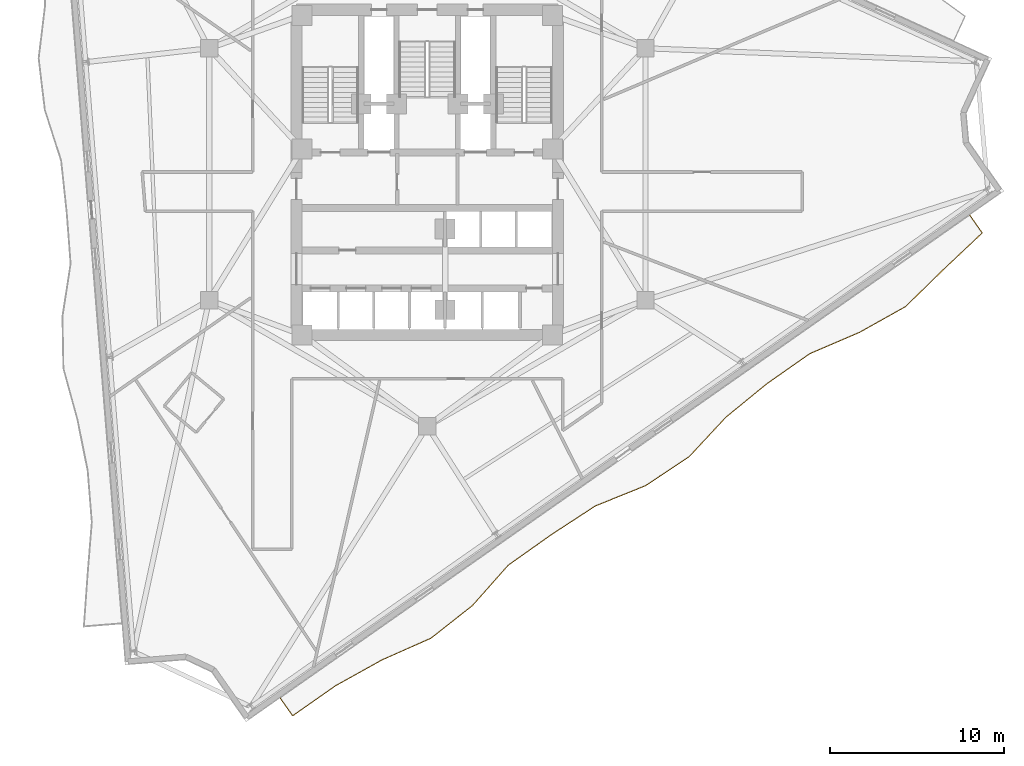
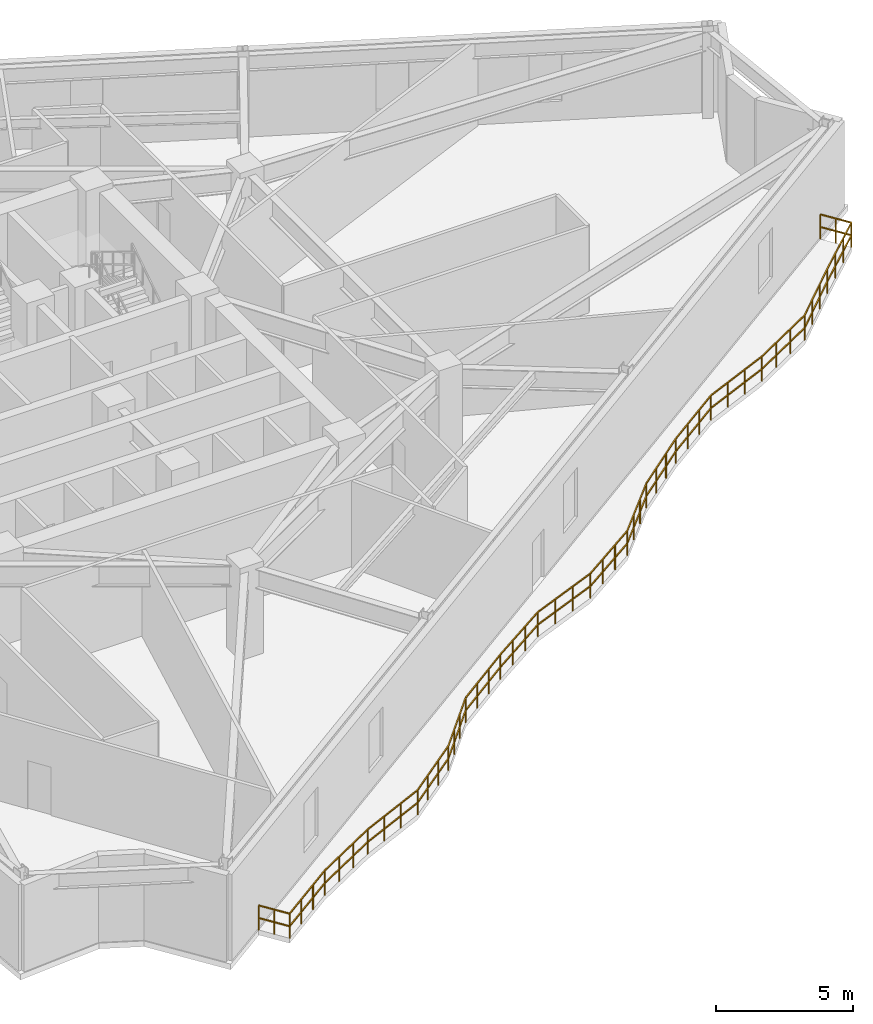
# One storey, part 9 of 11: 1 railing.
"""IFC4 building model written with IfcOpenShell, lengths in metres."""

import ifcopenshell
import ifcopenshell.guid

model = None  # the IFC model being written
_history = None  # IfcOwnerHistory: only IFC2X3 demands one
_inside = {}  # id of a spatial element -> (the spatial element, [elements in it])
_under = {}  # id of a project, library or spatial element -> (it, [spatial elements below it])
_declared = {}  # id of a project -> (the project, [libraries it declares])
_typed = {}  # id of a type object -> (the type object, [elements of that type])
_made_of = {}  # id of a material, layer set ... -> (it, [elements and type objects made of it])


def new_model(schema):
    """Start an empty IFC model of exactly this schema.

    Asked for "IFC4X3", IfcOpenShell would pick the latest addendum, in which some entities
    have other attributes; the version numbers below select the first issue.
    IFC2X3 requires an IfcOwnerHistory on every rooted entity: one is made here for all.
    """
    global model, _history
    if schema == "IFC4X3":
        model = ifcopenshell.file(schema_version=(4, 3, 0, 0))
    else:
        model = ifcopenshell.file(schema=schema)
    _inside.clear()
    _under.clear()
    _declared.clear()
    _typed.clear()
    _made_of.clear()
    _history = None
    if model.schema == "IFC2X3":
        org = make("IfcOrganization", Name="unknown")
        user = make(
            "IfcPersonAndOrganization",
            ThePerson=make("IfcPerson", FamilyName="unknown"),
            TheOrganization=org,
        )
        app = make(
            "IfcApplication",
            ApplicationDeveloper=org,
            Version="unknown",
            ApplicationFullName="unknown",
            ApplicationIdentifier="unknown",
        )
        _history = make(
            "IfcOwnerHistory",
            OwningUser=user,
            OwningApplication=app,
            ChangeAction="ADDED",
            CreationDate=0,
        )
    return model


def make(cls, **values):
    """One entity of the class cls with the attributes given. An attribute that is None is left unset."""
    return model.create_entity(
        cls, **{name: value for name, value in values.items() if value is not None}
    )


def rooted(cls, **values):
    """An entity with a GlobalId (a new one), such as an element, a storey or a relation."""
    return make(cls, GlobalId=ifcopenshell.guid.new(), OwnerHistory=_history, **values)


def si_unit(unit_type, name, prefix=None):
    """IfcSIUnit, for example si_unit("LENGTHUNIT", "METRE", prefix="MILLI")."""
    return make("IfcSIUnit", UnitType=unit_type, Prefix=prefix, Name=name)


def assignment(units):
    """IfcUnitAssignment: the units of a project."""
    return None if units is None else make("IfcUnitAssignment", Units=units)


def point(xyz):
    """IfcCartesianPoint."""
    return None if xyz is None else make("IfcCartesianPoint", Coordinates=xyz)


def direction(xyz):
    """IfcDirection."""
    return None if xyz is None else make("IfcDirection", DirectionRatios=xyz)


def frame(location, z_axis=None, x_axis=None):
    """IfcAxis2Placement3D, a coordinate frame: its origin and axes. An axis left out is left unset."""
    return make(
        "IfcAxis2Placement3D",
        Location=point(location),
        Axis=direction(z_axis),
        RefDirection=direction(x_axis),
    )


def frame_2d(location, x_axis=None):
    """IfcAxis2Placement2D, a coordinate frame in the plane: its origin and x axis."""
    return make(
        "IfcAxis2Placement2D", Location=point(location), RefDirection=direction(x_axis)
    )


def origin():
    """The frame at (0, 0, 0) with its axes left unset."""
    return frame((0.0, 0.0, 0.0))


def origin_2d():
    """The frame at (0, 0) in the plane with its x axis left unset."""
    return frame_2d((0.0, 0.0))


def place(relative_to, where):
    """IfcLocalPlacement: puts the frame where relative to a parent placement (None: the world)."""
    return make(
        "IfcLocalPlacement", PlacementRelTo=relative_to, RelativePlacement=where
    )


def context(
    kind, dimensions, precision=None, world=None, true_north=None, identifier=None
):
    """IfcGeometricRepresentationContext, for example the 3D "Model" context."""
    return make(
        "IfcGeometricRepresentationContext",
        ContextIdentifier=identifier,
        ContextType=kind,
        CoordinateSpaceDimension=dimensions,
        Precision=precision,
        WorldCoordinateSystem=world,
        TrueNorth=true_north,
    )


def subcontext(parent, identifier, kind, view, scale=None):
    """IfcGeometricRepresentationSubContext, for example "Body" below "Model"."""
    return make(
        "IfcGeometricRepresentationSubContext",
        ContextIdentifier=identifier,
        ContextType=kind,
        ParentContext=parent,
        TargetScale=scale,
        TargetView=view,
    )


def project(units=None, contexts=None):
    """IfcProject with its units and contexts."""
    return rooted(
        "IfcProject",
        Name="project",
        RepresentationContexts=contexts,
        UnitsInContext=assignment(units),
    )


def spatial(cls, under=None, at=None, **own):
    """A site, building, storey or space (cls), placed at a placement, below another one or the project."""
    s = rooted(cls, ObjectPlacement=at, **own)
    if under is not None:
        _under.setdefault(under.id(), (under, []))[1].append(s)
    return s


def profile(cls, at=None, kind="AREA", **sizes):
    """A parametric profile (cls). Its sizes go by their IFC names, for example OverallWidth=200.0."""
    return make(cls, ProfileType=kind, Position=at, **sizes)


def rectangle(**sizes):
    """IfcRectangleProfileDef."""
    return profile("IfcRectangleProfileDef", **sizes)


def extrude(swept, where, along, depth):
    """IfcExtrudedAreaSolid: the profile swept, set in the frame where, extruded along a direction by depth."""
    return make(
        "IfcExtrudedAreaSolid",
        SweptArea=swept,
        Position=where,
        ExtrudedDirection=direction(along),
        Depth=depth,
    )


def shape(context_of_items, identifier, shape_type, items):
    """IfcShapeRepresentation: the items that make up one representation, for example the "Body"."""
    return make(
        "IfcShapeRepresentation",
        ContextOfItems=context_of_items,
        RepresentationIdentifier=identifier,
        RepresentationType=shape_type,
        Items=items,
    )


def material(Name=None, Category=None):
    """IfcMaterial."""
    return make("IfcMaterial", Name=Name, Category=Category)


def made_of(thing, what):
    """Note that an element or type object is made of a material, layer set ...; save() writes the relation."""
    if what is not None:
        _made_of.setdefault(what.id(), (what, []))[1].append(thing)
    return thing


def type_object(cls, material=None, **own):
    """A type object (cls), such as IfcWallType, which elements share."""
    return made_of(rooted(cls, **own), material)


def element(
    cls,
    number,
    at=None,
    inside=None,
    cuts=None,
    type_object=None,
    material=None,
    context=None,
    identifier="Body",
    shape_type=None,
    held_by="IfcProductDefinitionShape",
    body=None,
    shapes=None,
    **own,
):
    """One element of the class cls, such as IfcWall. Its Tag is "e" and its number.

    at: its placement. inside: the storey or other place that contains it. cuts: it is an
    opening in that element (IfcRelVoidsElement). A single representation is given by context,
    identifier, shape_type and body (its items); several are given by shapes. held_by: the class
    of the entity that holds the representations. save() writes the other relations.
    """
    e = rooted(cls, Tag="e%d" % number, ObjectPlacement=at, **own)
    if body is not None:
        shapes = [shape(context, identifier, shape_type, body)]
    if shapes is not None:
        e.Representation = make(held_by, Representations=shapes)
    if inside is not None:
        _inside.setdefault(inside.id(), (inside, []))[1].append(e)
    if cuts is not None:
        rooted(
            "IfcRelVoidsElement", RelatingBuildingElement=cuts, RelatedOpeningElement=e
        )
    if type_object is not None:
        _typed.setdefault(type_object.id(), (type_object, []))[1].append(e)
    return made_of(e, material)


def aggregate(whole, parts):
    """IfcRelAggregates: a whole, such as a stair, and the parts it consists of."""
    return rooted("IfcRelAggregates", RelatingObject=whole, RelatedObjects=parts)


def save(model, path):
    """Write the relations noted so far, then the file.

    IfcRelAggregates (storeys below a building ...), IfcRelContainedInSpatialStructure (elements
    in a storey), IfcRelDefinesByType, IfcRelAssociatesMaterial and IfcRelDeclares: one each for
    every whole, place, type object, material and project.
    """
    for whole, parts in _under.values():
        aggregate(whole, parts)
    for where, things in _inside.values():
        rooted(
            "IfcRelContainedInSpatialStructure",
            RelatedElements=things,
            RelatingStructure=where,
        )
    for kind, things in _typed.values():
        rooted("IfcRelDefinesByType", RelatedObjects=things, RelatingType=kind)
    for what, things in _made_of.values():
        rooted("IfcRelAssociatesMaterial", RelatedObjects=things, RelatingMaterial=what)
    for by, libraries in _declared.values():
        rooted("IfcRelDeclares", RelatingContext=by, RelatedDefinitions=libraries)
    model.write(path)


model = new_model("IFC4")

# Units and contexts
model_context = context("Model", 3, precision=1e-05, world=origin(), true_north=direction((0.0, 1.0)))
body_context = subcontext(model_context, "Body", "Model", "MODEL_VIEW")
ifc_project = project(units=[si_unit("LENGTHUNIT", "METRE"), si_unit("AREAUNIT", "SQUARE_METRE"), si_unit("VOLUMEUNIT", "CUBIC_METRE"), si_unit("PLANEANGLEUNIT", "RADIAN"), si_unit("MASSUNIT", "GRAM", prefix="KILO")], contexts=[model_context])

# Site, building, storey
site_placement = place(None, origin())
site = spatial("IfcSite", under=ifc_project, at=site_placement, CompositionType="ELEMENT")
building_placement = place(site_placement, origin())
building = spatial("IfcBuilding", under=site, at=building_placement, Name="Apsidion Concourse Tower", CompositionType="ELEMENT")
storey_placement = place(building_placement, frame((0.0, 0.0, 214.699951171875)))
storey = spatial("IfcBuildingStorey", under=building, at=storey_placement, Name="L50", CompositionType="ELEMENT", Elevation=214.699951171875)

# Railing
ifc_material = material(Name="Brushed stainless steel 316", Category="steel")
railing_type = type_object("IfcRailingType", Name="RL-BAL-1120", PredefinedType="BALUSTRADE", material=ifc_material)
railing_placement = place(storey_placement, frame((31.23095703125, -2.356689453125, 0.0)))
element("IfcRailing", 1, at=railing_placement, inside=storey, type_object=railing_type, Name="L50 Face 2 Rippling Balcony Balustrade", PredefinedType="BALUSTRADE", context=body_context, shape_type="SweptSolid", body=[
    extrude(rectangle(XDim=0.048095703125, YDim=0.048095703125, at=origin_2d()), frame((0.0, 0.0, 1.09619140625), z_axis=(0.573619628835, -0.819121798889, 0.0), x_axis=(0.819121798889, 0.573619628835, 0.0)), (0.0, 0.0, 1.0), 1.25),
    extrude(rectangle(XDim=0.048095703125, YDim=0.048095703125, at=origin_2d()), frame((0.0, 0.0, 0.5361328125), z_axis=(0.573619628835, -0.819121798889, 0.0), x_axis=(0.819121798889, 0.573619628835, 0.0)), (0.0, 0.0, 1.0), 1.25),
    extrude(rectangle(XDim=0.048095703125, YDim=0.048095703125, at=origin_2d()), frame((0.717041015625, -1.02392578125, 1.09619140625), z_axis=(-0.727462003309, -0.686147967818, 0.0), x_axis=(0.686147967818, -0.727462003309, 0.0)), (0.0, 0.0, 1.0), 3.06103515625),
    extrude(rectangle(XDim=0.048095703125, YDim=0.048095703125, at=origin_2d()), frame((0.717041015625, -1.02392578125, 0.5361328125), z_axis=(-0.727462003309, -0.686147967818, 0.0), x_axis=(0.686147967818, -0.727462003309, 0.0)), (0.0, 0.0, 1.0), 3.06103515625),
    extrude(rectangle(XDim=0.048095703125, YDim=0.048095703125, at=origin_2d()), frame((-1.509765625, -3.124267578125, 1.09619140625), z_axis=(-0.715132989634, -0.698988417026, 0.0), x_axis=(0.698988417026, -0.715132989634, 0.0)), (0.0, 0.0, 1.0), 3.06982421875),
    extrude(rectangle(XDim=0.048095703125, YDim=0.048095703125, at=origin_2d()), frame((-1.509765625, -3.124267578125, 0.5361328125), z_axis=(-0.715132989634, -0.698988417026, 0.0), x_axis=(0.698988417026, -0.715132989634, 0.0)), (0.0, 0.0, 1.0), 3.06982421875),
    extrude(rectangle(XDim=0.048095703125, YDim=0.048095703125, at=origin_2d()), frame((-3.705078125, -5.27001953125, 1.09619140625), z_axis=(-0.872902298767, -0.487895046918, 0.0), x_axis=(0.487895046918, -0.872902298767, 0.0)), (0.0, 0.0, 1.0), 3.04443359375),
    extrude(rectangle(XDim=0.048095703125, YDim=0.048095703125, at=origin_2d()), frame((-3.705078125, -5.27001953125, 0.5361328125), z_axis=(-0.872902298767, -0.487895046918, 0.0), x_axis=(0.487895046918, -0.872902298767, 0.0)), (0.0, 0.0, 1.0), 3.04443359375),
    extrude(rectangle(XDim=0.048095703125, YDim=0.048095703125, at=origin_2d()), frame((-6.362548828125, -6.75537109375, 1.09619140625), z_axis=(-0.919320403982, -0.393509840819, 0.0), x_axis=(0.393509840819, -0.919320403982, 0.0)), (0.0, 0.0, 1.0), 3.0947265625),
    extrude(rectangle(XDim=0.048095703125, YDim=0.048095703125, at=origin_2d()), frame((-6.362548828125, -6.75537109375, 0.5361328125), z_axis=(-0.919320403982, -0.393509840819, 0.0), x_axis=(0.393509840819, -0.919320403982, 0.0)), (0.0, 0.0, 1.0), 3.0947265625),
    extrude(rectangle(XDim=0.048095703125, YDim=0.048095703125, at=origin_2d()), frame((-9.20751953125, -7.97314453125, 1.09619140625), z_axis=(-0.819159967158, -0.573565121155, 0.0), x_axis=(0.573565121155, -0.819159967158, 0.0)), (0.0, 0.0, 1.0), 3.029052734375),
    extrude(rectangle(XDim=0.048095703125, YDim=0.048095703125, at=origin_2d()), frame((-9.20751953125, -7.97314453125, 0.5361328125), z_axis=(-0.819159967158, -0.573565121155, 0.0), x_axis=(0.573565121155, -0.819159967158, 0.0)), (0.0, 0.0, 1.0), 3.029052734375),
    extrude(rectangle(XDim=0.048095703125, YDim=0.048095703125, at=origin_2d()), frame((-11.688720703125, -9.71044921875, 1.09619140625), z_axis=(-0.774150655331, -0.633001392455, 0.0), x_axis=(0.633001392455, -0.774150655331, 0.0)), (0.0, 0.0, 1.0), 3.037353515625),
    extrude(rectangle(XDim=0.048095703125, YDim=0.048095703125, at=origin_2d()), frame((-11.688720703125, -9.71044921875, 0.5361328125), z_axis=(-0.774150655331, -0.633001392455, 0.0), x_axis=(0.633001392455, -0.774150655331, 0.0)), (0.0, 0.0, 1.0), 3.037353515625),
    extrude(rectangle(XDim=0.048095703125, YDim=0.048095703125, at=origin_2d()), frame((-14.0400390625, -11.633056640625, 1.09619140625), z_axis=(-0.681553931105, -0.73176788601, 0.0), x_axis=(0.73176788601, -0.681553931105, 0.0)), (0.0, 0.0, 1.0), 3.09716796875),
    extrude(rectangle(XDim=0.048095703125, YDim=0.048095703125, at=origin_2d()), frame((-14.0400390625, -11.633056640625, 0.5361328125), z_axis=(-0.681553931105, -0.73176788601, 0.0), x_axis=(0.73176788601, -0.681553931105, 0.0)), (0.0, 0.0, 1.0), 3.09716796875),
    extrude(rectangle(XDim=0.048095703125, YDim=0.048095703125, at=origin_2d()), frame((-16.15087890625, -13.8994140625, 1.09619140625), z_axis=(-0.832669648142, -0.553770039875, 0.0), x_axis=(0.553770039875, -0.832669648142, 0.0)), (0.0, 0.0, 1.0), 3.029541015625),
    extrude(rectangle(XDim=0.048095703125, YDim=0.048095703125, at=origin_2d()), frame((-16.15087890625, -13.8994140625, 0.5361328125), z_axis=(-0.832669648142, -0.553770039875, 0.0), x_axis=(0.553770039875, -0.832669648142, 0.0)), (0.0, 0.0, 1.0), 3.029541015625),
    extrude(rectangle(XDim=0.048095703125, YDim=0.048095703125, at=origin_2d()), frame((-18.673583984375, -15.5771484375, 1.09619140625), z_axis=(-0.927247605293, -0.374448766159, 0.0), x_axis=(0.374448766159, -0.927247605293, 0.0)), (0.0, 0.0, 1.0), 3.108642578125),
    extrude(rectangle(XDim=0.048095703125, YDim=0.048095703125, at=origin_2d()), frame((-18.673583984375, -15.5771484375, 0.5361328125), z_axis=(-0.927247605293, -0.374448766159, 0.0), x_axis=(0.374448766159, -0.927247605293, 0.0)), (0.0, 0.0, 1.0), 3.108642578125),
    extrude(rectangle(XDim=0.048095703125, YDim=0.048095703125, at=origin_2d()), frame((-21.55615234375, -16.7412109375, 1.09619140625), z_axis=(-0.837536864104, -0.546380820734, 0.0), x_axis=(0.546380820734, -0.837536864104, 0.0)), (0.0, 0.0, 1.0), 3.030517578125),
    extrude(rectangle(XDim=0.048095703125, YDim=0.048095703125, at=origin_2d()), frame((-21.55615234375, -16.7412109375, 0.5361328125), z_axis=(-0.837536864104, -0.546380820734, 0.0), x_axis=(0.546380820734, -0.837536864104, 0.0)), (0.0, 0.0, 1.0), 3.030517578125),
    extrude(rectangle(XDim=0.048095703125, YDim=0.048095703125, at=origin_2d()), frame((-24.09423828125, -18.39697265625, 1.09619140625), z_axis=(-0.815824844672, -0.578299077309, 0.0), x_axis=(0.578299077309, -0.815824844672, 0.0)), (0.0, 0.0, 1.0), 3.029052734375),
    extrude(rectangle(XDim=0.048095703125, YDim=0.048095703125, at=origin_2d()), frame((-24.09423828125, -18.39697265625, 0.5361328125), z_axis=(-0.815824844672, -0.578299077309, 0.0), x_axis=(0.578299077309, -0.815824844672, 0.0)), (0.0, 0.0, 1.0), 3.029052734375),
    extrude(rectangle(XDim=0.048095703125, YDim=0.048095703125, at=origin_2d()), frame((-26.5654296875, -20.148681640625, 1.09619140625), z_axis=(-0.664115571076, -0.74762992734, 0.0), x_axis=(0.74762992734, -0.664115571076, 0.0)), (0.0, 0.0, 1.0), 3.11328125),
    extrude(rectangle(XDim=0.048095703125, YDim=0.048095703125, at=origin_2d()), frame((-26.5654296875, -20.148681640625, 0.5361328125), z_axis=(-0.664115571076, -0.74762992734, 0.0), x_axis=(0.74762992734, -0.664115571076, 0.0)), (0.0, 0.0, 1.0), 3.11328125),
    extrude(rectangle(XDim=0.048095703125, YDim=0.048095703125, at=origin_2d()), frame((-28.633056640625, -22.476318359375, 1.09619140625), z_axis=(-0.785650493543, -0.618670592477, 0.0), x_axis=(0.618670592477, -0.785650493543, 0.0)), (0.0, 0.0, 1.0), 3.033935546875),
    extrude(rectangle(XDim=0.048095703125, YDim=0.048095703125, at=origin_2d()), frame((-28.633056640625, -22.476318359375, 0.5361328125), z_axis=(-0.785650493543, -0.618670592477, 0.0), x_axis=(0.618670592477, -0.785650493543, 0.0)), (0.0, 0.0, 1.0), 3.033935546875),
    extrude(rectangle(XDim=0.048095703125, YDim=0.048095703125, at=origin_2d()), frame((-31.0166015625, -24.353271484375, 1.09619140625), z_axis=(-0.914218811631, -0.405220883543, 0.0), x_axis=(0.405220883543, -0.914218811631, 0.0)), (0.0, 0.0, 1.0), 3.08642578125),
    extrude(rectangle(XDim=0.048095703125, YDim=0.048095703125, at=origin_2d()), frame((-31.0166015625, -24.353271484375, 0.5361328125), z_axis=(-0.914218811631, -0.405220883543, 0.0), x_axis=(0.405220883543, -0.914218811631, 0.0)), (0.0, 0.0, 1.0), 3.08642578125),
    extrude(rectangle(XDim=0.048095703125, YDim=0.048095703125, at=origin_2d()), frame((-33.83837890625, -25.60400390625, 1.09619140625), z_axis=(-0.874043800201, -0.485847131647, 0.0), x_axis=(0.485847131647, -0.874043800201, 0.0)), (0.0, 0.0, 1.0), 3.045166015625),
    extrude(rectangle(XDim=0.048095703125, YDim=0.048095703125, at=origin_2d()), frame((-33.83837890625, -25.60400390625, 0.5361328125), z_axis=(-0.874043800201, -0.485847131647, 0.0), x_axis=(0.485847131647, -0.874043800201, 0.0)), (0.0, 0.0, 1.0), 3.045166015625),
    extrude(rectangle(XDim=0.048095703125, YDim=0.048095703125, at=origin_2d()), frame((-36.5, -27.08349609375, 1.09619140625), z_axis=(-0.819159967158, -0.573565121155, 0.0), x_axis=(0.573565121155, -0.819159967158, 0.0)), (0.0, 0.0, 1.0), 3.029052734375),
    extrude(rectangle(XDim=0.048095703125, YDim=0.048095703125, at=origin_2d()), frame((-36.5, -27.08349609375, 0.5361328125), z_axis=(-0.819159967158, -0.573565121155, 0.0), x_axis=(0.573565121155, -0.819159967158, 0.0)), (0.0, 0.0, 1.0), 3.029052734375),
    extrude(rectangle(XDim=0.048095703125, YDim=0.048095703125, at=origin_2d()), frame((-38.981201171875, -28.82080078125, 1.09619140625), z_axis=(-0.573619628835, 0.819121798889, 0.0), x_axis=(-0.819121798889, -0.573619628835, 0.0)), (0.0, 0.0, 1.0), 1.25),
    extrude(rectangle(XDim=0.048095703125, YDim=0.048095703125, at=origin_2d()), frame((-38.981201171875, -28.82080078125, 0.5361328125), z_axis=(-0.573619628835, 0.819121798889, 0.0), x_axis=(-0.819121798889, -0.573619628835, 0.0)), (0.0, 0.0, 1.0), 1.25),
    extrude(rectangle(XDim=0.0419921875, YDim=0.0419921875, at=origin_2d()), origin(), (0.0, 0.0, 1.0), 1.072021484375),
    extrude(rectangle(XDim=0.0419921875, YDim=0.0419921875, at=origin_2d()), frame((0.3583984375, -0.511962890625, 0.0)), (0.0, 0.0, 1.0), 1.072021484375),
    extrude(rectangle(XDim=0.0419921875, YDim=0.0419921875, at=origin_2d()), frame((0.717041015625, -1.02392578125, 0.0)), (0.0, 0.0, 1.0), 1.072021484375),
    extrude(rectangle(XDim=0.0419921875, YDim=0.0419921875, at=origin_2d()), frame((-0.025146484375, -1.72412109375, 0.0)), (0.0, 0.0, 1.0), 1.072021484375),
    extrude(rectangle(XDim=0.0419921875, YDim=0.0419921875, at=origin_2d()), frame((-0.767578125, -2.424072265625, 0.0)), (0.0, 0.0, 1.0), 1.072021484375),
    extrude(rectangle(XDim=0.0419921875, YDim=0.0419921875, at=origin_2d()), frame((-1.509765625, -3.124267578125, 0.0)), (0.0, 0.0, 1.0), 1.072021484375),
    extrude(rectangle(XDim=0.0419921875, YDim=0.0419921875, at=origin_2d()), frame((-2.241455078125, -3.839599609375, 0.0)), (0.0, 0.0, 1.0), 1.072021484375),
    extrude(rectangle(XDim=0.0419921875, YDim=0.0419921875, at=origin_2d()), frame((-2.973388671875, -4.5546875, 0.0)), (0.0, 0.0, 1.0), 1.072021484375),
    extrude(rectangle(XDim=0.0419921875, YDim=0.0419921875, at=origin_2d()), frame((-3.705078125, -5.27001953125, 0.0)), (0.0, 0.0, 1.0), 1.072021484375),
    extrude(rectangle(XDim=0.0419921875, YDim=0.0419921875, at=origin_2d()), frame((-4.5908203125, -5.76513671875, 0.0)), (0.0, 0.0, 1.0), 1.072021484375),
    extrude(rectangle(XDim=0.0419921875, YDim=0.0419921875, at=origin_2d()), frame((-5.476806640625, -6.26025390625, 0.0)), (0.0, 0.0, 1.0), 1.072021484375),
    extrude(rectangle(XDim=0.0419921875, YDim=0.0419921875, at=origin_2d()), frame((-6.362548828125, -6.75537109375, 0.0)), (0.0, 0.0, 1.0), 1.072021484375),
    extrude(rectangle(XDim=0.0419921875, YDim=0.0419921875, at=origin_2d()), frame((-7.310791015625, -7.161376953125, 0.0)), (0.0, 0.0, 1.0), 1.072021484375),
    extrude(rectangle(XDim=0.0419921875, YDim=0.0419921875, at=origin_2d()), frame((-8.25927734375, -7.567138671875, 0.0)), (0.0, 0.0, 1.0), 1.072021484375),
    extrude(rectangle(XDim=0.0419921875, YDim=0.0419921875, at=origin_2d()), frame((-9.20751953125, -7.97314453125, 0.0)), (0.0, 0.0, 1.0), 1.072021484375),
    extrude(rectangle(XDim=0.0419921875, YDim=0.0419921875, at=origin_2d()), frame((-10.03466796875, -8.55224609375, 0.0)), (0.0, 0.0, 1.0), 1.072021484375),
    extrude(rectangle(XDim=0.0419921875, YDim=0.0419921875, at=origin_2d()), frame((-10.861572265625, -9.13134765625, 0.0)), (0.0, 0.0, 1.0), 1.072021484375),
    extrude(rectangle(XDim=0.0419921875, YDim=0.0419921875, at=origin_2d()), frame((-11.688720703125, -9.71044921875, 0.0)), (0.0, 0.0, 1.0), 1.072021484375),
    extrude(rectangle(XDim=0.0419921875, YDim=0.0419921875, at=origin_2d()), frame((-12.472412109375, -10.351318359375, 0.0)), (0.0, 0.0, 1.0), 1.072021484375),
    extrude(rectangle(XDim=0.0419921875, YDim=0.0419921875, at=origin_2d()), frame((-13.25634765625, -10.9921875, 0.0)), (0.0, 0.0, 1.0), 1.072021484375),
    extrude(rectangle(XDim=0.0419921875, YDim=0.0419921875, at=origin_2d()), frame((-14.0400390625, -11.633056640625, 0.0)), (0.0, 0.0, 1.0), 1.072021484375),
    extrude(rectangle(XDim=0.0419921875, YDim=0.0419921875, at=origin_2d()), frame((-14.74365234375, -12.388427734375, 0.0)), (0.0, 0.0, 1.0), 1.072021484375),
    extrude(rectangle(XDim=0.0419921875, YDim=0.0419921875, at=origin_2d()), frame((-15.447265625, -13.14404296875, 0.0)), (0.0, 0.0, 1.0), 1.072021484375),
    extrude(rectangle(XDim=0.0419921875, YDim=0.0419921875, at=origin_2d()), frame((-16.15087890625, -13.8994140625, 0.0)), (0.0, 0.0, 1.0), 1.072021484375),
    extrude(rectangle(XDim=0.0419921875, YDim=0.0419921875, at=origin_2d()), frame((-16.99169921875, -14.458740234375, 0.0)), (0.0, 0.0, 1.0), 1.072021484375),
    extrude(rectangle(XDim=0.0419921875, YDim=0.0419921875, at=origin_2d()), frame((-17.832763671875, -15.017822265625, 0.0)), (0.0, 0.0, 1.0), 1.072021484375),
    extrude(rectangle(XDim=0.0419921875, YDim=0.0419921875, at=origin_2d()), frame((-18.673583984375, -15.5771484375, 0.0)), (0.0, 0.0, 1.0), 1.072021484375),
    extrude(rectangle(XDim=0.0419921875, YDim=0.0419921875, at=origin_2d()), frame((-19.634521484375, -15.965087890625, 0.0)), (0.0, 0.0, 1.0), 1.072021484375),
    extrude(rectangle(XDim=0.0419921875, YDim=0.0419921875, at=origin_2d()), frame((-20.59521484375, -16.353271484375, 0.0)), (0.0, 0.0, 1.0), 1.072021484375),
    extrude(rectangle(XDim=0.0419921875, YDim=0.0419921875, at=origin_2d()), frame((-21.55615234375, -16.7412109375, 0.0)), (0.0, 0.0, 1.0), 1.072021484375),
    extrude(rectangle(XDim=0.0419921875, YDim=0.0419921875, at=origin_2d()), frame((-22.402099609375, -17.293212890625, 0.0)), (0.0, 0.0, 1.0), 1.072021484375),
    extrude(rectangle(XDim=0.0419921875, YDim=0.0419921875, at=origin_2d()), frame((-23.248291015625, -17.844970703125, 0.0)), (0.0, 0.0, 1.0), 1.072021484375),
    extrude(rectangle(XDim=0.0419921875, YDim=0.0419921875, at=origin_2d()), frame((-24.09423828125, -18.39697265625, 0.0)), (0.0, 0.0, 1.0), 1.072021484375),
    extrude(rectangle(XDim=0.0419921875, YDim=0.0419921875, at=origin_2d()), frame((-24.91796875, -18.98095703125, 0.0)), (0.0, 0.0, 1.0), 1.072021484375),
    extrude(rectangle(XDim=0.0419921875, YDim=0.0419921875, at=origin_2d()), frame((-25.74169921875, -19.564697265625, 0.0)), (0.0, 0.0, 1.0), 1.072021484375),
    extrude(rectangle(XDim=0.0419921875, YDim=0.0419921875, at=origin_2d()), frame((-26.5654296875, -20.148681640625, 0.0)), (0.0, 0.0, 1.0), 1.072021484375),
    extrude(rectangle(XDim=0.0419921875, YDim=0.0419921875, at=origin_2d()), frame((-27.254638671875, -20.924560546875, 0.0)), (0.0, 0.0, 1.0), 1.072021484375),
    extrude(rectangle(XDim=0.0419921875, YDim=0.0419921875, at=origin_2d()), frame((-27.94384765625, -21.700439453125, 0.0)), (0.0, 0.0, 1.0), 1.072021484375),
    extrude(rectangle(XDim=0.0419921875, YDim=0.0419921875, at=origin_2d()), frame((-28.633056640625, -22.476318359375, 0.0)), (0.0, 0.0, 1.0), 1.072021484375),
    extrude(rectangle(XDim=0.0419921875, YDim=0.0419921875, at=origin_2d()), frame((-29.427490234375, -23.10205078125, 0.0)), (0.0, 0.0, 1.0), 1.072021484375),
    extrude(rectangle(XDim=0.0419921875, YDim=0.0419921875, at=origin_2d()), frame((-30.22216796875, -23.7275390625, 0.0)), (0.0, 0.0, 1.0), 1.072021484375),
    extrude(rectangle(XDim=0.0419921875, YDim=0.0419921875, at=origin_2d()), frame((-31.0166015625, -24.353271484375, 0.0)), (0.0, 0.0, 1.0), 1.072021484375),
    extrude(rectangle(XDim=0.0419921875, YDim=0.0419921875, at=origin_2d()), frame((-31.957275390625, -24.770263671875, 0.0)), (0.0, 0.0, 1.0), 1.072021484375),
    extrude(rectangle(XDim=0.0419921875, YDim=0.0419921875, at=origin_2d()), frame((-32.897705078125, -25.18701171875, 0.0)), (0.0, 0.0, 1.0), 1.072021484375),
    extrude(rectangle(XDim=0.0419921875, YDim=0.0419921875, at=origin_2d()), frame((-33.83837890625, -25.60400390625, 0.0)), (0.0, 0.0, 1.0), 1.072021484375),
    extrude(rectangle(XDim=0.0419921875, YDim=0.0419921875, at=origin_2d()), frame((-34.7255859375, -26.09716796875, 0.0)), (0.0, 0.0, 1.0), 1.072021484375),
    extrude(rectangle(XDim=0.0419921875, YDim=0.0419921875, at=origin_2d()), frame((-35.61279296875, -26.59033203125, 0.0)), (0.0, 0.0, 1.0), 1.072021484375),
    extrude(rectangle(XDim=0.0419921875, YDim=0.0419921875, at=origin_2d()), frame((-36.5, -27.08349609375, 0.0)), (0.0, 0.0, 1.0), 1.072021484375),
    extrude(rectangle(XDim=0.0419921875, YDim=0.0419921875, at=origin_2d()), frame((-37.3271484375, -27.66259765625, 0.0)), (0.0, 0.0, 1.0), 1.072021484375),
    extrude(rectangle(XDim=0.0419921875, YDim=0.0419921875, at=origin_2d()), frame((-38.154052734375, -28.24169921875, 0.0)), (0.0, 0.0, 1.0), 1.072021484375),
    extrude(rectangle(XDim=0.0419921875, YDim=0.0419921875, at=origin_2d()), frame((-38.981201171875, -28.82080078125, 0.0)), (0.0, 0.0, 1.0), 1.072021484375),
    extrude(rectangle(XDim=0.0419921875, YDim=0.0419921875, at=origin_2d()), frame((-39.33984375, -28.308837890625, 0.0)), (0.0, 0.0, 1.0), 1.072021484375),
    extrude(rectangle(XDim=0.0419921875, YDim=0.0419921875, at=origin_2d()), frame((-39.6982421875, -27.796875, 0.0)), (0.0, 0.0, 1.0), 1.072021484375),
])

save(model, "model.ifc")
